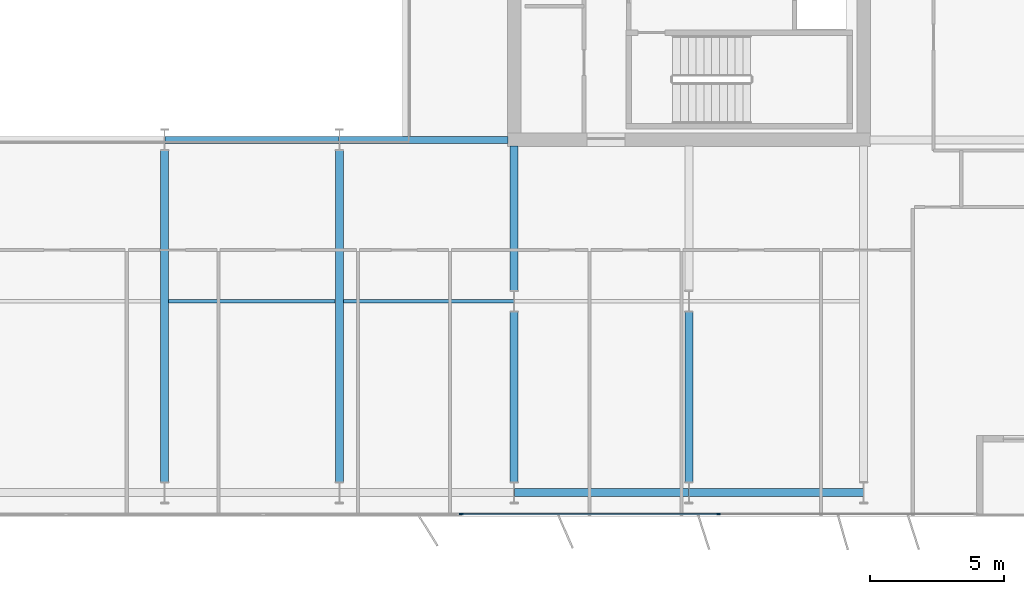
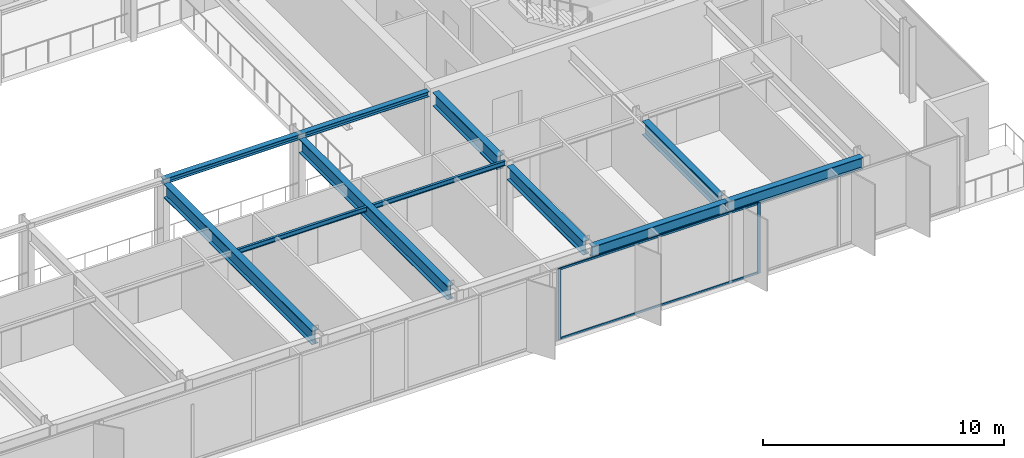
# One storey, part 7 of 24: 11 beams, 4 members, 1 element without a shape of its own.
"""IFC4 building model written with IfcOpenShell, lengths in metres."""

from ifc_helpers import new_model, si_unit, direction, frame, origin, origin_2d, place, context, subcontext, project, spatial, rectangle, i_section, extrude, material, layer, layer_set, material_profile, profile_set, type_object, element, aggregate, save


model = new_model("IFC4")

# Units and contexts
model_context = context("Model", 3, precision=1e-05, world=origin(), true_north=direction((0.0, 1.0)))
body_context = subcontext(model_context, "Body", "Model", "MODEL_VIEW")
ifc_project = project(units=[si_unit("LENGTHUNIT", "METRE"), si_unit("AREAUNIT", "SQUARE_METRE"), si_unit("VOLUMEUNIT", "CUBIC_METRE"), si_unit("PLANEANGLEUNIT", "RADIAN"), si_unit("MASSUNIT", "GRAM", prefix="KILO")], contexts=[model_context])

# Site, building, storey
site_placement = place(None, origin())
site = spatial("IfcSite", under=ifc_project, at=site_placement, CompositionType="ELEMENT")
building_placement = place(site_placement, origin())
building = spatial("IfcBuilding", under=site, at=building_placement, Name="Putna Gate Headquarters", CompositionType="ELEMENT")
storey_placement = place(building_placement, frame((0.0, 0.0, 244.199951171875)))
storey = spatial("IfcBuildingStorey", under=building, at=storey_placement, Name="L61", CompositionType="ELEMENT", Elevation=244.199951171875)

# Beams
ifc_material_1 = material(Name="Steel S355J2", Category="steel")
ifc_material_profile_1 = material_profile(ifc_material_1, i_section(OverallWidth=0.260009765625, OverallDepth=0.260009765625, WebThickness=0.010009765625, FlangeThickness=0.017578125, at=origin_2d()), Name="Steel S355J2")
ifc_profile_set_1 = profile_set([ifc_material_profile_1], Name="Steel S355J2")
beam_type_1 = type_object("IfcBeamType", Name="BM-ATRIUM-HEB260", PredefinedType="BEAM", material=ifc_profile_set_1)
beam_1_placement = place(storey_placement, frame((39.006103515625, 19.0, 3.449951171875), z_axis=(1.0, 0.0, 0.0), x_axis=(0.0, 1.0, 0.0)))
element("IfcBeam", 1, at=beam_1_placement, inside=storey, type_object=beam_type_1, Name="L61 Atrium Edge Beam AS3", PredefinedType="BEAM", context=body_context, shape_type="SweptSolid", body=[
    extrude(i_section(OverallWidth=0.260009765625, OverallDepth=0.260009765625, WebThickness=0.010009765625, FlangeThickness=0.017578125, at=origin_2d()), origin(), (0.0, 0.0, 1.0), 6.48779296875),
])
beam_2_placement = place(storey_placement, frame((45.506103515625, 19.0, 3.449951171875), z_axis=(1.0, 0.0, 0.0), x_axis=(0.0, 1.0, 0.0)))
element("IfcBeam", 2, at=beam_2_placement, inside=storey, type_object=beam_type_1, Name="L61 Atrium Edge Beam AS4", PredefinedType="BEAM", context=body_context, shape_type="SweptSolid", body=[
    extrude(i_section(OverallWidth=0.260009765625, OverallDepth=0.260009765625, WebThickness=0.010009765625, FlangeThickness=0.017578125, at=origin_2d()), origin(), (0.0, 0.0, 1.0), 6.2587890625),
])
ifc_material_profile_2 = material_profile(ifc_material_1, i_section(OverallWidth=0.300048828125, OverallDepth=0.699951171875, WebThickness=0.01708984375, FlangeThickness=0.031982421875, at=origin_2d()), Name="Steel S355J2")
ifc_profile_set_2 = profile_set([ifc_material_profile_2], Name="Steel S355J2")
beam_type_2 = type_object("IfcBeamType", Name="BM-GIRD-B-HEB700", PredefinedType="USERDEFINED", material=ifc_profile_set_2)
for number, where, z_axis, x_axis, name in (
    (3, (39.0, 6.27490234375, 3.22998046875), (0.0, 1.0, 0.0), (-1.0, 0.0, 0.0), "L61 South Primary Girder X39"),
    (4, (45.5, 6.27490234375, 3.22998046875), (0.0, 1.0, 0.0), (-1.0, 0.0, 0.0), "L61 South Primary Girder X45"),
):
    element("IfcBeam", number, at=place(storey_placement, frame(where, z_axis=z_axis, x_axis=x_axis)), inside=storey, type_object=beam_type_2, Name=name, ObjectType="GIRDER", PredefinedType="USERDEFINED", context=body_context, shape_type="SweptSolid", body=[
        extrude(i_section(OverallWidth=0.300048828125, OverallDepth=0.699951171875, WebThickness=0.01708984375, FlangeThickness=0.031982421875, at=origin_2d()), origin(), (0.0, 0.0, 1.0), 12.330078125),
    ])
beam_3_placement = place(storey_placement, frame((52.0, 6.27490234375, 3.22998046875), z_axis=(0.0, 1.0, 0.0), x_axis=(-1.0, 0.0, 0.0)))
element("IfcBeam", 5, at=beam_3_placement, inside=storey, type_object=beam_type_2, Name="L61 South Primary Girder X52-1", ObjectType="GIRDER", PredefinedType="USERDEFINED", context=body_context, shape_type="SweptSolid", body=[
    extrude(i_section(OverallWidth=0.300048828125, OverallDepth=0.699951171875, WebThickness=0.01708984375, FlangeThickness=0.031982421875, at=origin_2d()), origin(), (0.0, 0.0, 1.0), 6.330078125),
])
beam_4_placement = place(storey_placement, frame((52.0, 13.39501953125, 3.22998046875), z_axis=(0.0, 1.0, 0.0), x_axis=(-1.0, 0.0, 0.0)))
element("IfcBeam", 6, at=beam_4_placement, inside=storey, type_object=beam_type_2, Name="L61 South Primary Girder X52-2", ObjectType="GIRDER", PredefinedType="USERDEFINED", context=body_context, shape_type="SweptSolid", body=[
    extrude(i_section(OverallWidth=0.300048828125, OverallDepth=0.699951171875, WebThickness=0.01708984375, FlangeThickness=0.031982421875, at=origin_2d()), origin(), (0.0, 0.0, 1.0), 5.369873046875),
])
beam_5_placement = place(storey_placement, frame((58.5, 6.27490234375, 3.22998046875), z_axis=(0.0, 1.0, 0.0), x_axis=(-1.0, 0.0, 0.0)))
element("IfcBeam", 7, at=beam_5_placement, inside=storey, type_object=beam_type_2, Name="L61 South Primary Girder X58-1", ObjectType="GIRDER", PredefinedType="USERDEFINED", context=body_context, shape_type="SweptSolid", body=[
    extrude(i_section(OverallWidth=0.300048828125, OverallDepth=0.699951171875, WebThickness=0.01708984375, FlangeThickness=0.031982421875, at=origin_2d()), origin(), (0.0, 0.0, 1.0), 6.330078125),
])
ifc_material_profile_3 = material_profile(ifc_material_1, i_section(OverallWidth=0.1201171875, OverallDepth=0.239990234375, WebThickness=0.006103515625, FlangeThickness=0.009765625, at=origin_2d()), Name="Steel S355J2")
ifc_profile_set_3 = profile_set([ifc_material_profile_3], Name="Steel S355J2")
beam_type_3 = type_object("IfcBeamType", Name="BM-SEC-Z4-IPE240", PredefinedType="JOIST", material=ifc_profile_set_3)
beam_6_placement = place(storey_placement, frame((39.154052734375, 13.0, 3.4599609375), z_axis=(1.0, 0.0, 0.0), x_axis=(0.0, 1.0, 0.0)))
element("IfcBeam", 8, at=beam_6_placement, inside=storey, type_object=beam_type_3, Name="L61 South Secondary Beam 5", PredefinedType="JOIST", context=body_context, shape_type="SweptSolid", body=[
    extrude(i_section(OverallWidth=0.1201171875, OverallDepth=0.239990234375, WebThickness=0.006103515625, FlangeThickness=0.009765625, at=origin_2d()), origin(), (0.0, 0.0, 1.0), 6.19189453125),
])
beam_7_placement = place(storey_placement, frame((45.654052734375, 13.0, 3.4599609375), z_axis=(1.0, 0.0, 0.0), x_axis=(0.0, 1.0, 0.0)))
element("IfcBeam", 9, at=beam_7_placement, inside=storey, type_object=beam_type_3, Name="L61 South Secondary Beam 6", PredefinedType="JOIST", context=body_context, shape_type="SweptSolid", body=[
    extrude(i_section(OverallWidth=0.1201171875, OverallDepth=0.239990234375, WebThickness=0.006103515625, FlangeThickness=0.009765625, at=origin_2d()), origin(), (0.0, 0.0, 1.0), 6.33984375),
])
ifc_material_profile_4 = material_profile(ifc_material_1, i_section(OverallWidth=0.300048828125, OverallDepth=0.590087890625, WebThickness=0.012939453125, FlangeThickness=0.02490234375, at=origin_2d()), Name="Steel S355J2")
ifc_profile_set_4 = profile_set([ifc_material_profile_4], Name="Steel S355J2")
beam_type_4 = type_object("IfcBeamType", Name="BM-SPAN-Z4-HEA600", PredefinedType="SPANDREL", material=ifc_profile_set_4)
for number, where, z_axis, x_axis, name in (
    (10, (52.006103515625, 5.8798828125, 3.28515625), (1.0, 0.0, 0.0), (0.0, 1.0, 0.0), "L61 S Perimeter Spandrel 7"),
    (11, (58.506103515625, 5.8798828125, 3.28515625), (1.0, 0.0, 0.0), (0.0, 1.0, 0.0), "L61 S Perimeter Spandrel 8"),
):
    element("IfcBeam", number, at=place(storey_placement, frame(where, z_axis=z_axis, x_axis=x_axis)), inside=storey, type_object=beam_type_4, Name=name, PredefinedType="SPANDREL", context=body_context, shape_type="SweptSolid", body=[
        extrude(i_section(OverallWidth=0.300048828125, OverallDepth=0.590087890625, WebThickness=0.012939453125, FlangeThickness=0.02490234375, at=origin_2d()), origin(), (0.0, 0.0, 1.0), 6.48779296875),
    ])

# Curtain wall, members
ifc_material_2 = material(Name="Anodised bronze aluminium curtain wall", Category="aluminium")
ifc_layer = layer(ifc_material_2, 0.139892578125)
ifc_layer_set = layer_set([ifc_layer], Name="Anodised bronze aluminium curtain wall")
curtain_wall_type = type_object("IfcCurtainWallType", Name="CW-SYS-Z4", PredefinedType="USERDEFINED", material=ifc_layer_set)
curtain_wall_placement = place(storey_placement, origin())
curtain_wall = element("IfcCurtainWall", 12, at=curtain_wall_placement, inside=storey, type_object=curtain_wall_type, Name="L61 South East Curtain Wall", ObjectType="STICK CURTAIN WALL", PredefinedType="USERDEFINED")
ifc_material_3 = material(Name="Anodised bronze aluminium EN AW-6060", Category="aluminium")
ifc_material_profile_5 = material_profile(ifc_material_3, rectangle(XDim=0.06005859375, YDim=0.139892578125, at=origin_2d()), Name="Anodised bronze aluminium EN AW-6060")
ifc_profile_set_5 = profile_set([ifc_material_profile_5], Name="Anodised bronze aluminium EN AW-6060")
member_type_1 = type_object("IfcMemberType", Name="MULL-CWM-4", PredefinedType="MULLION", material=ifc_profile_set_5)
member_1_placement = place(storey_placement, frame((50.030029296875, 5.080078125, 0.0), z_axis=(0.0, 0.0, 1.0), x_axis=(0.0, 1.0, 0.0)))
member_1 = element("IfcMember", 13, at=member_1_placement, type_object=member_type_1, Name="CWS-4 mullion 1", PredefinedType="MULLION", context=body_context, shape_type="SweptSolid", body=[
    extrude(rectangle(XDim=0.06005859375, YDim=0.139892578125, at=origin_2d()), origin(), (0.0, 0.0, 1.0), 3.580078125),
])
member_2_placement = place(storey_placement, frame((59.60009765625, 5.080078125, 0.0), z_axis=(0.0, 0.0, 1.0), x_axis=(0.0, 1.0, 0.0)))
member_2 = element("IfcMember", 14, at=member_2_placement, type_object=member_type_1, Name="CWS-4 mullion 2", PredefinedType="MULLION", context=body_context, shape_type="SweptSolid", body=[
    extrude(rectangle(XDim=0.06005859375, YDim=0.139892578125, at=origin_2d()), origin(), (0.0, 0.0, 1.0), 3.580078125),
])
ifc_material_profile_6 = material_profile(ifc_material_3, rectangle(XDim=0.06005859375, YDim=0.10009765625, at=origin_2d()), Name="Anodised bronze aluminium EN AW-6060")
ifc_profile_set_6 = profile_set([ifc_material_profile_6], Name="Anodised bronze aluminium EN AW-6060")
member_type_2 = type_object("IfcMemberType", Name="TRAN-CWT-4", PredefinedType="USERDEFINED", material=ifc_profile_set_6)
member_3_placement = place(storey_placement, frame((50.06005859375, 5.080078125, 0.030029296875), z_axis=(1.0, 0.0, 0.0), x_axis=(0.0, 1.0, 0.0)))
member_3 = element("IfcMember", 15, at=member_3_placement, type_object=member_type_2, Name="CWS-4 transom 1.1", ObjectType="TRANSOM", PredefinedType="USERDEFINED", context=body_context, shape_type="SweptSolid", body=[
    extrude(rectangle(XDim=0.06005859375, YDim=0.10009765625, at=origin_2d()), origin(), (0.0, 0.0, 1.0), 9.510009765625),
])
member_4_placement = place(storey_placement, frame((50.06005859375, 5.080078125, 3.550048828125), z_axis=(1.0, 0.0, 0.0), x_axis=(0.0, 1.0, 0.0)))
member_4 = element("IfcMember", 16, at=member_4_placement, type_object=member_type_2, Name="CWS-4 transom 1.2", ObjectType="TRANSOM", PredefinedType="USERDEFINED", context=body_context, shape_type="SweptSolid", body=[
    extrude(rectangle(XDim=0.06005859375, YDim=0.10009765625, at=origin_2d()), origin(), (0.0, 0.0, 1.0), 9.510009765625),
])
aggregate(curtain_wall, [member_1, member_2, member_3, member_4])

save(model, "model.ifc")
